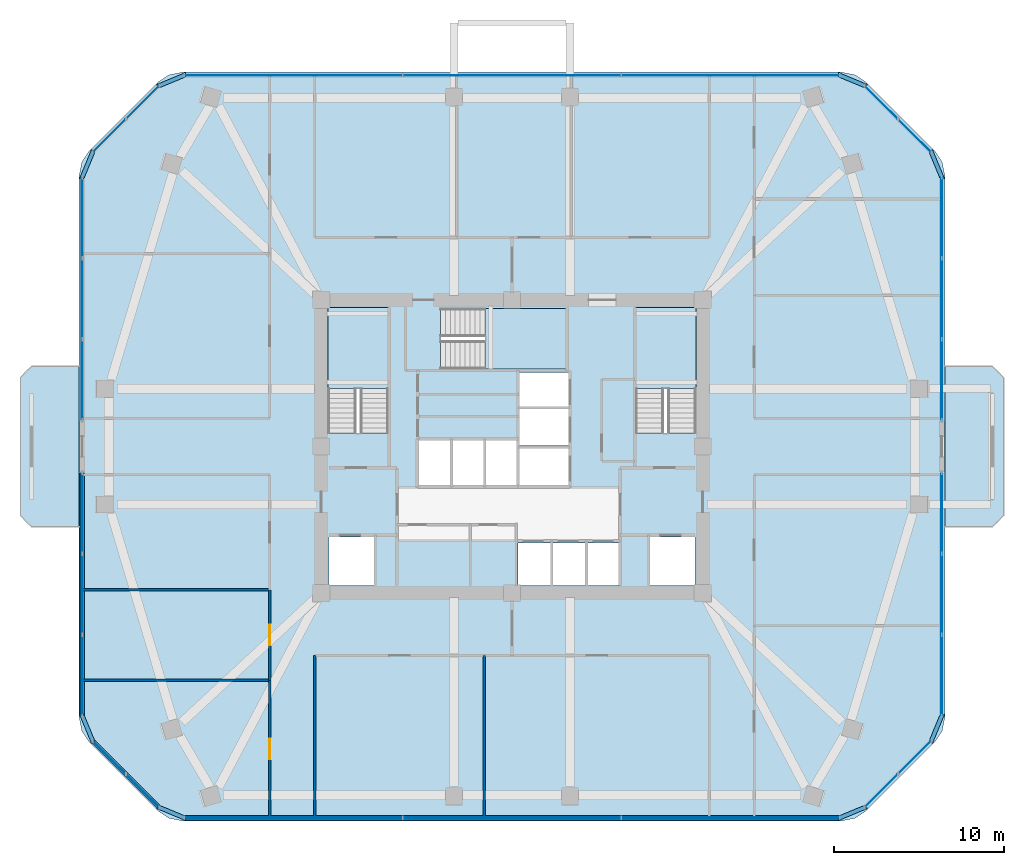
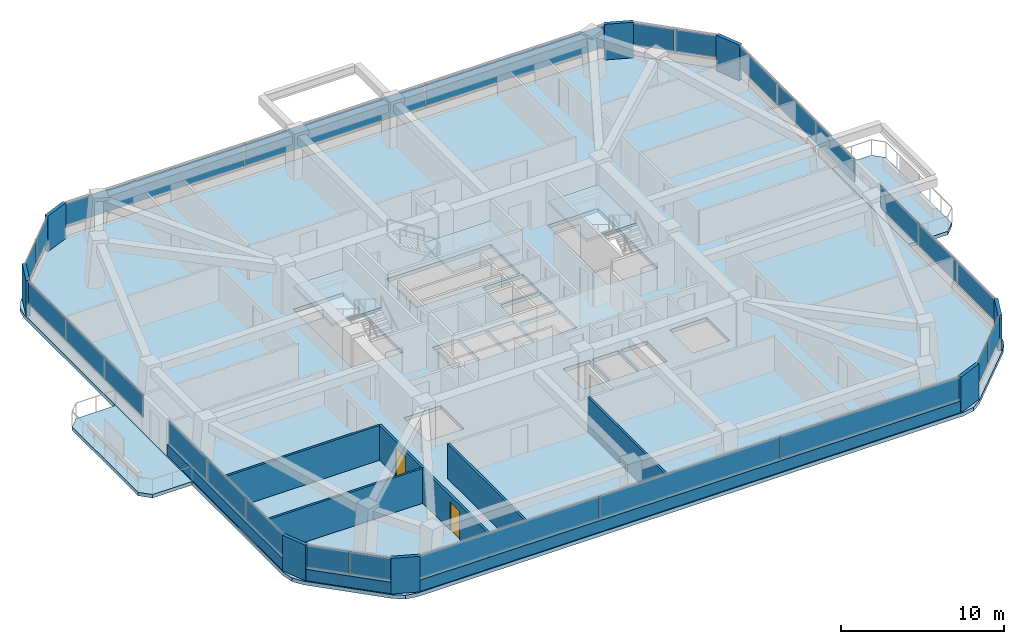
# One storey, part 9 of 14: 34 plates, 9 walls, 6 slabs, 2 doors, 2 openings, 13 elements without a shape of their own.
"""IFC4 building model written with IfcOpenShell, lengths in metres."""

import ifcopenshell
import ifcopenshell.guid

model = None  # the IFC model being written
_history = None  # IfcOwnerHistory: only IFC2X3 demands one
_inside = {}  # id of a spatial element -> (the spatial element, [elements in it])
_under = {}  # id of a project, library or spatial element -> (it, [spatial elements below it])
_declared = {}  # id of a project -> (the project, [libraries it declares])
_typed = {}  # id of a type object -> (the type object, [elements of that type])
_made_of = {}  # id of a material, layer set ... -> (it, [elements and type objects made of it])


def new_model(schema):
    """Start an empty IFC model of exactly this schema.

    Asked for "IFC4X3", IfcOpenShell would pick the latest addendum, in which some entities
    have other attributes; the version numbers below select the first issue.
    IFC2X3 requires an IfcOwnerHistory on every rooted entity: one is made here for all.
    """
    global model, _history
    if schema == "IFC4X3":
        model = ifcopenshell.file(schema_version=(4, 3, 0, 0))
    else:
        model = ifcopenshell.file(schema=schema)
    _inside.clear()
    _under.clear()
    _declared.clear()
    _typed.clear()
    _made_of.clear()
    _history = None
    if model.schema == "IFC2X3":
        org = make("IfcOrganization", Name="unknown")
        user = make(
            "IfcPersonAndOrganization",
            ThePerson=make("IfcPerson", FamilyName="unknown"),
            TheOrganization=org,
        )
        app = make(
            "IfcApplication",
            ApplicationDeveloper=org,
            Version="unknown",
            ApplicationFullName="unknown",
            ApplicationIdentifier="unknown",
        )
        _history = make(
            "IfcOwnerHistory",
            OwningUser=user,
            OwningApplication=app,
            ChangeAction="ADDED",
            CreationDate=0,
        )
    return model


def make(cls, **values):
    """One entity of the class cls with the attributes given. An attribute that is None is left unset."""
    return model.create_entity(
        cls, **{name: value for name, value in values.items() if value is not None}
    )


def rooted(cls, **values):
    """An entity with a GlobalId (a new one), such as an element, a storey or a relation."""
    return make(cls, GlobalId=ifcopenshell.guid.new(), OwnerHistory=_history, **values)


def si_unit(unit_type, name, prefix=None):
    """IfcSIUnit, for example si_unit("LENGTHUNIT", "METRE", prefix="MILLI")."""
    return make("IfcSIUnit", UnitType=unit_type, Prefix=prefix, Name=name)


def derived_unit(unit_type, elements):
    """IfcDerivedUnit: a product of units, each with its exponent."""
    return make(
        "IfcDerivedUnit",
        Elements=[
            make("IfcDerivedUnitElement", Unit=unit, Exponent=power)
            for unit, power in elements
        ],
        UnitType=unit_type,
    )


def assignment(units):
    """IfcUnitAssignment: the units of a project."""
    return None if units is None else make("IfcUnitAssignment", Units=units)


def point(xyz):
    """IfcCartesianPoint."""
    return None if xyz is None else make("IfcCartesianPoint", Coordinates=xyz)


def direction(xyz):
    """IfcDirection."""
    return None if xyz is None else make("IfcDirection", DirectionRatios=xyz)


def frame(location, z_axis=None, x_axis=None):
    """IfcAxis2Placement3D, a coordinate frame: its origin and axes. An axis left out is left unset."""
    return make(
        "IfcAxis2Placement3D",
        Location=point(location),
        Axis=direction(z_axis),
        RefDirection=direction(x_axis),
    )


def frame_2d(location, x_axis=None):
    """IfcAxis2Placement2D, a coordinate frame in the plane: its origin and x axis."""
    return make(
        "IfcAxis2Placement2D", Location=point(location), RefDirection=direction(x_axis)
    )


def origin():
    """The frame at (0, 0, 0) with its axes left unset."""
    return frame((0.0, 0.0, 0.0))


def origin_2d():
    """The frame at (0, 0) in the plane with its x axis left unset."""
    return frame_2d((0.0, 0.0))


def place(relative_to, where):
    """IfcLocalPlacement: puts the frame where relative to a parent placement (None: the world)."""
    return make(
        "IfcLocalPlacement", PlacementRelTo=relative_to, RelativePlacement=where
    )


def context(
    kind, dimensions, precision=None, world=None, true_north=None, identifier=None
):
    """IfcGeometricRepresentationContext, for example the 3D "Model" context."""
    return make(
        "IfcGeometricRepresentationContext",
        ContextIdentifier=identifier,
        ContextType=kind,
        CoordinateSpaceDimension=dimensions,
        Precision=precision,
        WorldCoordinateSystem=world,
        TrueNorth=true_north,
    )


def subcontext(parent, identifier, kind, view, scale=None):
    """IfcGeometricRepresentationSubContext, for example "Body" below "Model"."""
    return make(
        "IfcGeometricRepresentationSubContext",
        ContextIdentifier=identifier,
        ContextType=kind,
        ParentContext=parent,
        TargetScale=scale,
        TargetView=view,
    )


def project(units=None, contexts=None):
    """IfcProject with its units and contexts."""
    return rooted(
        "IfcProject",
        Name="project",
        RepresentationContexts=contexts,
        UnitsInContext=assignment(units),
    )


def spatial(cls, under=None, at=None, **own):
    """A site, building, storey or space (cls), placed at a placement, below another one or the project."""
    s = rooted(cls, ObjectPlacement=at, **own)
    if under is not None:
        _under.setdefault(under.id(), (under, []))[1].append(s)
    return s


def polyline(points):
    """IfcPolyline through the points."""
    return make("IfcPolyline", Points=[point(p) for p in points])


def profile(cls, at=None, kind="AREA", **sizes):
    """A parametric profile (cls). Its sizes go by their IFC names, for example OverallWidth=200.0."""
    return make(cls, ProfileType=kind, Position=at, **sizes)


def rectangle(**sizes):
    """IfcRectangleProfileDef."""
    return profile("IfcRectangleProfileDef", **sizes)


def outline(outer, holes=None, kind="AREA"):
    """IfcArbitraryClosedProfileDef: a profile drawn as a closed curve; with holes, ...WithVoids."""
    if holes is None:
        return make("IfcArbitraryClosedProfileDef", ProfileType=kind, OuterCurve=outer)
    return make(
        "IfcArbitraryProfileDefWithVoids",
        ProfileType=kind,
        OuterCurve=outer,
        InnerCurves=holes,
    )


def extrude(swept, where, along, depth):
    """IfcExtrudedAreaSolid: the profile swept, set in the frame where, extruded along a direction by depth."""
    return make(
        "IfcExtrudedAreaSolid",
        SweptArea=swept,
        Position=where,
        ExtrudedDirection=direction(along),
        Depth=depth,
    )


def shape(context_of_items, identifier, shape_type, items):
    """IfcShapeRepresentation: the items that make up one representation, for example the "Body"."""
    return make(
        "IfcShapeRepresentation",
        ContextOfItems=context_of_items,
        RepresentationIdentifier=identifier,
        RepresentationType=shape_type,
        Items=items,
    )


def material(Name=None, Category=None):
    """IfcMaterial."""
    return make("IfcMaterial", Name=Name, Category=Category)


def layer(
    of_material, thickness, ventilated=None, Name=None, Category=None, Priority=None
):
    """IfcMaterialLayer: one layer of a wall or slab, of a material (None: an air gap)."""
    return make(
        "IfcMaterialLayer",
        Material=of_material,
        LayerThickness=thickness,
        IsVentilated=ventilated,
        Name=Name,
        Category=Category,
        Priority=Priority,
    )


def layer_set(layers, Name=None):
    """IfcMaterialLayerSet."""
    return make("IfcMaterialLayerSet", MaterialLayers=layers, LayerSetName=Name)


def made_of(thing, what):
    """Note that an element or type object is made of a material, layer set ...; save() writes the relation."""
    if what is not None:
        _made_of.setdefault(what.id(), (what, []))[1].append(thing)
    return thing


def type_object(cls, material=None, **own):
    """A type object (cls), such as IfcWallType, which elements share."""
    return made_of(rooted(cls, **own), material)


def element(
    cls,
    number,
    at=None,
    inside=None,
    cuts=None,
    type_object=None,
    material=None,
    context=None,
    identifier="Body",
    shape_type=None,
    held_by="IfcProductDefinitionShape",
    body=None,
    shapes=None,
    **own,
):
    """One element of the class cls, such as IfcWall. Its Tag is "e" and its number.

    at: its placement. inside: the storey or other place that contains it. cuts: it is an
    opening in that element (IfcRelVoidsElement). A single representation is given by context,
    identifier, shape_type and body (its items); several are given by shapes. held_by: the class
    of the entity that holds the representations. save() writes the other relations.
    """
    e = rooted(cls, Tag="e%d" % number, ObjectPlacement=at, **own)
    if body is not None:
        shapes = [shape(context, identifier, shape_type, body)]
    if shapes is not None:
        e.Representation = make(held_by, Representations=shapes)
    if inside is not None:
        _inside.setdefault(inside.id(), (inside, []))[1].append(e)
    if cuts is not None:
        rooted(
            "IfcRelVoidsElement", RelatingBuildingElement=cuts, RelatedOpeningElement=e
        )
    if type_object is not None:
        _typed.setdefault(type_object.id(), (type_object, []))[1].append(e)
    return made_of(e, material)


def fill(opening, filler):
    """IfcRelFillsElement: the door or window that sits in an opening."""
    return rooted(
        "IfcRelFillsElement",
        RelatingOpeningElement=opening,
        RelatedBuildingElement=filler,
    )


def aggregate(whole, parts):
    """IfcRelAggregates: a whole, such as a stair, and the parts it consists of."""
    return rooted("IfcRelAggregates", RelatingObject=whole, RelatedObjects=parts)


def save(model, path):
    """Write the relations noted so far, then the file.

    IfcRelAggregates (storeys below a building ...), IfcRelContainedInSpatialStructure (elements
    in a storey), IfcRelDefinesByType, IfcRelAssociatesMaterial and IfcRelDeclares: one each for
    every whole, place, type object, material and project.
    """
    for whole, parts in _under.values():
        aggregate(whole, parts)
    for where, things in _inside.values():
        rooted(
            "IfcRelContainedInSpatialStructure",
            RelatedElements=things,
            RelatingStructure=where,
        )
    for kind, things in _typed.values():
        rooted("IfcRelDefinesByType", RelatedObjects=things, RelatingType=kind)
    for what, things in _made_of.values():
        rooted("IfcRelAssociatesMaterial", RelatedObjects=things, RelatingMaterial=what)
    for by, libraries in _declared.values():
        rooted("IfcRelDeclares", RelatingContext=by, RelatedDefinitions=libraries)
    model.write(path)


model = new_model("IFC4")

# Units and contexts
model_context = context("Model", 3, precision=1e-05, world=origin(), true_north=direction((0.0, 1.0)))
body_context = subcontext(model_context, "Body", "Model", "MODEL_VIEW")
ifc_project = project(units=[si_unit("LENGTHUNIT", "METRE"), si_unit("AREAUNIT", "SQUARE_METRE"), si_unit("VOLUMEUNIT", "CUBIC_METRE"), si_unit("PLANEANGLEUNIT", "RADIAN"), si_unit("MASSUNIT", "GRAM", prefix="KILO"), derived_unit("THERMALTRANSMITTANCEUNIT", [(si_unit("POWERUNIT", "WATT"), 1), (si_unit("LENGTHUNIT", "METRE"), -2), (si_unit("THERMODYNAMICTEMPERATUREUNIT", "KELVIN"), -1)])], contexts=[model_context])

# Site, building, storey
site_placement = place(None, origin())
site = spatial("IfcSite", under=ifc_project, at=site_placement, CompositionType="ELEMENT")
building_placement = place(site_placement, origin())
building = spatial("IfcBuilding", under=site, at=building_placement, Name="Koralith Skygarden Medical Center", CompositionType="ELEMENT")
storey_placement = place(building_placement, frame((0.0, 0.0, 106.3798828125)))
storey = spatial("IfcBuildingStorey", under=building, at=storey_placement, Name="L27", CompositionType="ELEMENT", Elevation=106.3798828125)

# Curtain wall, plates
ifc_material_1 = material(Name="Clear Laminated Glass", Category="glass")
curtain_wall_type = type_object("IfcCurtainWallType", Name="CW-3 Zone 2 Faceted Solar Curtain Wall", PredefinedType="NOTDEFINED", material=ifc_material_1)
curtain_wall_1_placement = place(storey_placement, origin())
curtain_wall_1 = element("IfcCurtainWall", 1, at=curtain_wall_1_placement, inside=storey, type_object=curtain_wall_type, Name="Curtain Wall CW-L27-S", PredefinedType="NOTDEFINED")
ifc_layer_1 = layer(ifc_material_1, 0.033935546875)
ifc_layer_set_1 = layer_set([ifc_layer_1], Name="Clear Laminated Glass")
plate_type_1 = type_object("IfcPlateType", Name="CW-3 Hurricane Laminated IGU Panel 34", PredefinedType="CURTAIN_PANEL", material=ifc_layer_set_1)
plate_1_placement = place(storey_placement, frame((24.177978515625, 4.1220703125, 0.919921875), z_axis=(0.0, 0.0, 1.0), x_axis=(1.0, 0.0, 0.0)))
plate_1 = element("IfcPlate", 2, at=plate_1_placement, type_object=plate_type_1, Name="CW-L27-S Glazed Panel 1", PredefinedType="CURTAIN_PANEL", context=body_context, shape_type="SweptSolid", body=[
    extrude(rectangle(XDim=12.73193359375, YDim=0.033935546875, at=origin_2d()), origin(), (0.0, 0.0, 1.0), 1.679931640625),
])
plate_2_placement = place(storey_placement, frame((37.0, 4.1220703125, 0.919921875), z_axis=(0.0, 0.0, 1.0), x_axis=(1.0, 0.0, 0.0)))
plate_2 = element("IfcPlate", 3, at=plate_2_placement, type_object=plate_type_1, Name="CW-L27-S Glazed Panel 2", PredefinedType="CURTAIN_PANEL", context=body_context, shape_type="SweptSolid", body=[
    extrude(rectangle(XDim=12.73193359375, YDim=0.033935546875, at=origin_2d()), origin(), (0.0, 0.0, 1.0), 1.679931640625),
])
plate_3_placement = place(storey_placement, frame((49.822021484375, 4.1220703125, 0.919921875), z_axis=(0.0, 0.0, 1.0), x_axis=(1.0, 0.0, 0.0)))
plate_3 = element("IfcPlate", 4, at=plate_3_placement, type_object=plate_type_1, Name="CW-L27-S Glazed Panel 3", PredefinedType="CURTAIN_PANEL", context=body_context, shape_type="SweptSolid", body=[
    extrude(rectangle(XDim=12.73193359375, YDim=0.033935546875, at=origin_2d()), origin(), (0.0, 0.0, 1.0), 1.679931640625),
])
aggregate(curtain_wall_1, [plate_1, plate_2, plate_3])

curtain_wall_2_placement = place(storey_placement, origin())
curtain_wall_2 = element("IfcCurtainWall", 5, at=curtain_wall_2_placement, inside=storey, type_object=curtain_wall_type, Name="Curtain Wall CW-L27-SE", PredefinedType="NOTDEFINED")
plate_4_placement = place(storey_placement, frame((58.6650390625, 5.705078125, 0.919921875), z_axis=(0.0, 0.0, 1.0), x_axis=(0.707106781187, 0.707106781187, 0.0)))
plate_4 = element("IfcPlate", 6, at=plate_4_placement, type_object=plate_type_1, Name="CW-L27-SE Glazed Panel 1", PredefinedType="CURTAIN_PANEL", context=body_context, shape_type="SweptSolid", body=[
    extrude(rectangle(XDim=2.68408203125, YDim=0.033935546875, at=origin_2d()), origin(), (0.0, 0.0, 1.0), 1.679931640625),
])
plate_5_placement = place(storey_placement, frame((60.6259765625, 7.666015625, 0.919921875), z_axis=(0.0, 0.0, 1.0), x_axis=(0.707106781187, 0.707106781187, 0.0)))
plate_5 = element("IfcPlate", 7, at=plate_5_placement, type_object=plate_type_1, Name="CW-L27-SE Glazed Panel 2", PredefinedType="CURTAIN_PANEL", context=body_context, shape_type="SweptSolid", body=[
    extrude(rectangle(XDim=2.68408203125, YDim=0.033935546875, at=origin_2d()), origin(), (0.0, 0.0, 1.0), 1.679931640625),
])
aggregate(curtain_wall_2, [plate_4, plate_5])

curtain_wall_3_placement = place(storey_placement, origin())
curtain_wall_3 = element("IfcCurtainWall", 8, at=curtain_wall_3_placement, inside=storey, type_object=curtain_wall_type, Name="Curtain Wall CW-L27-E-L", PredefinedType="NOTDEFINED")
plate_6_placement = place(storey_placement, frame((62.208984375, 12.47509765625, 0.919921875), z_axis=(0.0, 0.0, 1.0), x_axis=(0.0, 1.0, 0.0)))
plate_6 = element("IfcPlate", 9, at=plate_6_placement, type_object=plate_type_1, Name="CW-L27-E-L Glazed Panel 1", PredefinedType="CURTAIN_PANEL", context=body_context, shape_type="SweptSolid", body=[
    extrude(rectangle(XDim=4.6640625, YDim=0.033935546875, at=origin_2d()), origin(), (0.0, 0.0, 1.0), 1.679931640625),
])
plate_7_placement = place(storey_placement, frame((62.208984375, 17.22900390625, 0.919921875), z_axis=(0.0, 0.0, 1.0), x_axis=(0.0, 1.0, 0.0)))
plate_7 = element("IfcPlate", 10, at=plate_7_placement, type_object=plate_type_1, Name="CW-L27-E-L Glazed Panel 2", PredefinedType="CURTAIN_PANEL", context=body_context, shape_type="SweptSolid", body=[
    extrude(rectangle(XDim=4.6640625, YDim=0.033935546875, at=origin_2d()), origin(), (0.0, 0.0, 1.0), 1.679931640625),
])
plate_8_placement = place(storey_placement, frame((62.208984375, 21.98291015625, 0.919921875), z_axis=(0.0, 0.0, 1.0), x_axis=(0.0, 1.0, 0.0)))
plate_8 = element("IfcPlate", 11, at=plate_8_placement, type_object=plate_type_1, Name="CW-L27-E-L Glazed Panel 3", PredefinedType="CURTAIN_PANEL", context=body_context, shape_type="SweptSolid", body=[
    extrude(rectangle(XDim=4.6640625, YDim=0.033935546875, at=origin_2d()), origin(), (0.0, 0.0, 1.0), 1.679931640625),
])
aggregate(curtain_wall_3, [plate_6, plate_7, plate_8])

curtain_wall_4_placement = place(storey_placement, origin())
curtain_wall_4 = element("IfcCurtainWall", 12, at=curtain_wall_4_placement, inside=storey, type_object=curtain_wall_type, Name="Curtain Wall CW-L27-E-R", PredefinedType="NOTDEFINED")
plate_9_placement = place(storey_placement, frame((62.208984375, 29.81689453125, 0.919921875), z_axis=(0.0, 0.0, 1.0), x_axis=(0.0, 1.0, 0.0)))
plate_9 = element("IfcPlate", 13, at=plate_9_placement, type_object=plate_type_1, Name="CW-L27-E-R Glazed Panel 1", PredefinedType="CURTAIN_PANEL", context=body_context, shape_type="SweptSolid", body=[
    extrude(rectangle(XDim=4.6640625, YDim=0.033935546875, at=origin_2d()), origin(), (0.0, 0.0, 1.0), 1.679931640625),
])
plate_10_placement = place(storey_placement, frame((62.208984375, 34.571044921875, 0.919921875), z_axis=(0.0, 0.0, 1.0), x_axis=(0.0, 1.0, 0.0)))
plate_10 = element("IfcPlate", 14, at=plate_10_placement, type_object=plate_type_1, Name="CW-L27-E-R Glazed Panel 2", PredefinedType="CURTAIN_PANEL", context=body_context, shape_type="SweptSolid", body=[
    extrude(rectangle(XDim=4.6640625, YDim=0.033935546875, at=origin_2d()), origin(), (0.0, 0.0, 1.0), 1.679931640625),
])
plate_11_placement = place(storey_placement, frame((62.208984375, 39.324951171875, 0.919921875), z_axis=(0.0, 0.0, 1.0), x_axis=(0.0, 1.0, 0.0)))
plate_11 = element("IfcPlate", 15, at=plate_11_placement, type_object=plate_type_1, Name="CW-L27-E-R Glazed Panel 3", PredefinedType="CURTAIN_PANEL", context=body_context, shape_type="SweptSolid", body=[
    extrude(rectangle(XDim=4.6640625, YDim=0.033935546875, at=origin_2d()), origin(), (0.0, 0.0, 1.0), 1.679931640625),
])
aggregate(curtain_wall_4, [plate_9, plate_10, plate_11])

curtain_wall_5_placement = place(storey_placement, origin())
curtain_wall_5 = element("IfcCurtainWall", 16, at=curtain_wall_5_placement, inside=storey, type_object=curtain_wall_type, Name="Curtain Wall CW-L27-NE", PredefinedType="NOTDEFINED")
plate_12_placement = place(storey_placement, frame((60.6259765625, 44.134033203125, 0.919921875), z_axis=(0.0, 0.0, 1.0), x_axis=(-0.707106781187, 0.707106781187, 0.0)))
plate_12 = element("IfcPlate", 17, at=plate_12_placement, type_object=plate_type_1, Name="CW-L27-NE Glazed Panel 1", PredefinedType="CURTAIN_PANEL", context=body_context, shape_type="SweptSolid", body=[
    extrude(rectangle(XDim=2.68408203125, YDim=0.033935546875, at=origin_2d()), origin(), (0.0, 0.0, 1.0), 1.679931640625),
])
plate_13_placement = place(storey_placement, frame((58.6650390625, 46.094970703125, 0.919921875), z_axis=(0.0, 0.0, 1.0), x_axis=(-0.707106781187, 0.707106781187, 0.0)))
plate_13 = element("IfcPlate", 18, at=plate_13_placement, type_object=plate_type_1, Name="CW-L27-NE Glazed Panel 2", PredefinedType="CURTAIN_PANEL", context=body_context, shape_type="SweptSolid", body=[
    extrude(rectangle(XDim=2.68408203125, YDim=0.033935546875, at=origin_2d()), origin(), (0.0, 0.0, 1.0), 1.679931640625),
])
aggregate(curtain_wall_5, [plate_12, plate_13])

curtain_wall_6_placement = place(storey_placement, origin())
curtain_wall_6 = element("IfcCurtainWall", 19, at=curtain_wall_6_placement, inside=storey, type_object=curtain_wall_type, Name="Curtain Wall CW-L27-N", PredefinedType="NOTDEFINED")
plate_14_placement = place(storey_placement, frame((49.822021484375, 47.677001953125, 0.919921875), z_axis=(0.0, 0.0, 1.0), x_axis=(-1.0, 0.0, 0.0)))
plate_14 = element("IfcPlate", 20, at=plate_14_placement, type_object=plate_type_1, Name="CW-L27-N Glazed Panel 1", PredefinedType="CURTAIN_PANEL", context=body_context, shape_type="SweptSolid", body=[
    extrude(rectangle(XDim=12.73193359375, YDim=0.033935546875, at=origin_2d()), origin(), (0.0, 0.0, 1.0), 1.679931640625),
])
plate_15_placement = place(storey_placement, frame((37.0, 47.677001953125, 0.919921875), z_axis=(0.0, 0.0, 1.0), x_axis=(-1.0, 0.0, 0.0)))
plate_15 = element("IfcPlate", 21, at=plate_15_placement, type_object=plate_type_1, Name="CW-L27-N Glazed Panel 2", PredefinedType="CURTAIN_PANEL", context=body_context, shape_type="SweptSolid", body=[
    extrude(rectangle(XDim=12.73193359375, YDim=0.033935546875, at=origin_2d()), origin(), (0.0, 0.0, 1.0), 1.679931640625),
])
plate_16_placement = place(storey_placement, frame((24.177978515625, 47.677001953125, 0.919921875), z_axis=(0.0, 0.0, 1.0), x_axis=(-1.0, 0.0, 0.0)))
plate_16 = element("IfcPlate", 22, at=plate_16_placement, type_object=plate_type_1, Name="CW-L27-N Glazed Panel 3", PredefinedType="CURTAIN_PANEL", context=body_context, shape_type="SweptSolid", body=[
    extrude(rectangle(XDim=12.73193359375, YDim=0.033935546875, at=origin_2d()), origin(), (0.0, 0.0, 1.0), 1.679931640625),
])
aggregate(curtain_wall_6, [plate_14, plate_15, plate_16])

curtain_wall_7_placement = place(storey_placement, origin())
curtain_wall_7 = element("IfcCurtainWall", 23, at=curtain_wall_7_placement, inside=storey, type_object=curtain_wall_type, Name="Curtain Wall CW-L27-NW", PredefinedType="NOTDEFINED")
plate_17_placement = place(storey_placement, frame((15.3349609375, 46.094970703125, 0.919921875), z_axis=(0.0, 0.0, 1.0), x_axis=(-0.707106781187, -0.707106781187, 0.0)))
plate_17 = element("IfcPlate", 24, at=plate_17_placement, type_object=plate_type_1, Name="CW-L27-NW Glazed Panel 1", PredefinedType="CURTAIN_PANEL", context=body_context, shape_type="SweptSolid", body=[
    extrude(rectangle(XDim=2.68408203125, YDim=0.033935546875, at=origin_2d()), origin(), (0.0, 0.0, 1.0), 1.679931640625),
])
plate_18_placement = place(storey_placement, frame((13.3740234375, 44.134033203125, 0.919921875), z_axis=(0.0, 0.0, 1.0), x_axis=(-0.707106781187, -0.707106781187, 0.0)))
plate_18 = element("IfcPlate", 25, at=plate_18_placement, type_object=plate_type_1, Name="CW-L27-NW Glazed Panel 2", PredefinedType="CURTAIN_PANEL", context=body_context, shape_type="SweptSolid", body=[
    extrude(rectangle(XDim=2.68408203125, YDim=0.033935546875, at=origin_2d()), origin(), (0.0, 0.0, 1.0), 1.679931640625),
])
aggregate(curtain_wall_7, [plate_17, plate_18])

curtain_wall_8_placement = place(storey_placement, origin())
curtain_wall_8 = element("IfcCurtainWall", 26, at=curtain_wall_8_placement, inside=storey, type_object=curtain_wall_type, Name="Curtain Wall CW-L27-W-L", PredefinedType="NOTDEFINED")
plate_19_placement = place(storey_placement, frame((11.791015625, 39.324951171875, 0.919921875), z_axis=(0.0, 0.0, 1.0), x_axis=(0.0, -1.0, 0.0)))
plate_19 = element("IfcPlate", 27, at=plate_19_placement, type_object=plate_type_1, Name="CW-L27-W-L Glazed Panel 1", PredefinedType="CURTAIN_PANEL", context=body_context, shape_type="SweptSolid", body=[
    extrude(rectangle(XDim=4.6640625, YDim=0.033935546875, at=origin_2d()), origin(), (0.0, 0.0, 1.0), 1.679931640625),
])
plate_20_placement = place(storey_placement, frame((11.791015625, 34.571044921875, 0.919921875), z_axis=(0.0, 0.0, 1.0), x_axis=(0.0, -1.0, 0.0)))
plate_20 = element("IfcPlate", 28, at=plate_20_placement, type_object=plate_type_1, Name="CW-L27-W-L Glazed Panel 2", PredefinedType="CURTAIN_PANEL", context=body_context, shape_type="SweptSolid", body=[
    extrude(rectangle(XDim=4.6640625, YDim=0.033935546875, at=origin_2d()), origin(), (0.0, 0.0, 1.0), 1.679931640625),
])
plate_21_placement = place(storey_placement, frame((11.791015625, 29.81689453125, 0.919921875), z_axis=(0.0, 0.0, 1.0), x_axis=(0.0, -1.0, 0.0)))
plate_21 = element("IfcPlate", 29, at=plate_21_placement, type_object=plate_type_1, Name="CW-L27-W-L Glazed Panel 3", PredefinedType="CURTAIN_PANEL", context=body_context, shape_type="SweptSolid", body=[
    extrude(rectangle(XDim=4.6640625, YDim=0.033935546875, at=origin_2d()), origin(), (0.0, 0.0, 1.0), 1.679931640625),
])
aggregate(curtain_wall_8, [plate_19, plate_20, plate_21])

curtain_wall_9_placement = place(storey_placement, origin())
curtain_wall_9 = element("IfcCurtainWall", 30, at=curtain_wall_9_placement, inside=storey, type_object=curtain_wall_type, Name="Curtain Wall CW-L27-W-R", PredefinedType="NOTDEFINED")
plate_22_placement = place(storey_placement, frame((11.791015625, 21.98291015625, 0.919921875), z_axis=(0.0, 0.0, 1.0), x_axis=(0.0, -1.0, 0.0)))
plate_22 = element("IfcPlate", 31, at=plate_22_placement, type_object=plate_type_1, Name="CW-L27-W-R Glazed Panel 1", PredefinedType="CURTAIN_PANEL", context=body_context, shape_type="SweptSolid", body=[
    extrude(rectangle(XDim=4.6640625, YDim=0.033935546875, at=origin_2d()), origin(), (0.0, 0.0, 1.0), 1.679931640625),
])
plate_23_placement = place(storey_placement, frame((11.791015625, 17.22900390625, 0.919921875), z_axis=(0.0, 0.0, 1.0), x_axis=(0.0, -1.0, 0.0)))
plate_23 = element("IfcPlate", 32, at=plate_23_placement, type_object=plate_type_1, Name="CW-L27-W-R Glazed Panel 2", PredefinedType="CURTAIN_PANEL", context=body_context, shape_type="SweptSolid", body=[
    extrude(rectangle(XDim=4.6640625, YDim=0.033935546875, at=origin_2d()), origin(), (0.0, 0.0, 1.0), 1.679931640625),
])
plate_24_placement = place(storey_placement, frame((11.791015625, 12.47509765625, 0.919921875), z_axis=(0.0, 0.0, 1.0), x_axis=(0.0, -1.0, 0.0)))
plate_24 = element("IfcPlate", 33, at=plate_24_placement, type_object=plate_type_1, Name="CW-L27-W-R Glazed Panel 3", PredefinedType="CURTAIN_PANEL", context=body_context, shape_type="SweptSolid", body=[
    extrude(rectangle(XDim=4.6640625, YDim=0.033935546875, at=origin_2d()), origin(), (0.0, 0.0, 1.0), 1.679931640625),
])
aggregate(curtain_wall_9, [plate_22, plate_23, plate_24])

curtain_wall_10_placement = place(storey_placement, origin())
curtain_wall_10 = element("IfcCurtainWall", 34, at=curtain_wall_10_placement, inside=storey, type_object=curtain_wall_type, Name="Curtain Wall CW-L27-SW", PredefinedType="NOTDEFINED")
plate_25_placement = place(storey_placement, frame((13.3740234375, 7.666015625, 0.919921875), z_axis=(0.0, 0.0, 1.0), x_axis=(0.707106781187, -0.707106781187, 0.0)))
plate_25 = element("IfcPlate", 35, at=plate_25_placement, type_object=plate_type_1, Name="CW-L27-SW Glazed Panel 1", PredefinedType="CURTAIN_PANEL", context=body_context, shape_type="SweptSolid", body=[
    extrude(rectangle(XDim=2.68408203125, YDim=0.033935546875, at=origin_2d()), origin(), (0.0, 0.0, 1.0), 1.679931640625),
])
plate_26_placement = place(storey_placement, frame((15.3349609375, 5.705078125, 0.919921875), z_axis=(0.0, 0.0, 1.0), x_axis=(0.707106781187, -0.707106781187, 0.0)))
plate_26 = element("IfcPlate", 36, at=plate_26_placement, type_object=plate_type_1, Name="CW-L27-SW Glazed Panel 2", PredefinedType="CURTAIN_PANEL", context=body_context, shape_type="SweptSolid", body=[
    extrude(rectangle(XDim=2.68408203125, YDim=0.033935546875, at=origin_2d()), origin(), (0.0, 0.0, 1.0), 1.679931640625),
])
aggregate(curtain_wall_10, [plate_25, plate_26])

# Slabs
ifc_material_2 = material(Name="Concrete C45/55", Category="concrete")
ifc_layer_2 = layer(ifc_material_2, 0.260009765625)
ifc_layer_set_2 = layer_set([ifc_layer_2], Name="Concrete C45/55")
slab_type_1 = type_object("IfcSlabType", Name="Cantilevered Planted Balcony Slab 260", PredefinedType="FLOOR", material=ifc_layer_set_2)
slab_1_placement = place(storey_placement, frame((0.0, 0.0, -0.259765625)))
element("IfcSlab", 37, at=slab_1_placement, inside=storey, type_object=slab_type_1, Name="L27 E Planted Sky-Garden Balcony Slab", PredefinedType="FLOOR", context=body_context, shape_type="SweptSolid", body=[
    extrude(outline(polyline([(62.388916015625, 21.199951171875), (65.18798828125, 21.199951171875), (65.837890625, 21.85009765625), (65.837890625, 29.949951171875), (65.18798828125, 30.60009765625), (62.388916015625, 30.60009765625), (62.388916015625, 21.199951171875)])), origin(), (0.0, 0.0, 1.0), 0.259765625),
])
slab_2_placement = place(storey_placement, frame((0.0, 0.0, -0.259765625)))
element("IfcSlab", 38, at=slab_2_placement, inside=storey, type_object=slab_type_1, Name="L27 W Planted Sky-Garden Balcony Slab", PredefinedType="FLOOR", context=body_context, shape_type="SweptSolid", body=[
    extrude(outline(polyline([(8.81201171875, 21.199951171875), (11.611083984375, 21.199951171875), (11.611083984375, 30.60009765625), (8.81201171875, 30.60009765625), (8.162109375, 29.949951171875), (8.162109375, 21.85009765625), (8.81201171875, 21.199951171875)])), origin(), (0.0, 0.0, 1.0), 0.259765625),
])

# Stair, slab
stair_type = type_object("IfcStairType", Name="Core Exit Dogleg Concrete Stair", PredefinedType="HALF_TURN_STAIR", material=ifc_material_2)
stair_1_placement = place(storey_placement, origin())
stair_1 = element("IfcStair", 39, at=stair_1_placement, inside=storey, type_object=stair_type, Name="L27 Smokeproof Exit Stair ST1", PredefinedType="HALF_TURN_STAIR")
ifc_layer_3 = layer(ifc_material_2, 0.199951171875)
ifc_layer_set_3 = layer_set([ifc_layer_3], Name="Concrete C45/55")
slab_type_2 = type_object("IfcSlabType", Name="Core Exit Concrete Stair Landing 200", PredefinedType="LANDING", material=ifc_layer_set_3)
slab_3_placement = place(storey_placement, frame((0.0, 0.0, 1.60009765625)))
slab_3 = element("IfcSlab", 40, at=slab_3_placement, type_object=slab_type_2, Name="ST1 landing 1", PredefinedType="LANDING", context=body_context, shape_type="SweptSolid", body=[
    extrude(outline(polyline([(29.75, 29.31005859375), (29.75, 34.050048828125), (26.199951171875, 34.050048828125), (26.199951171875, 29.31005859375), (29.75, 29.31005859375)])), origin(), (0.0, 0.0, 1.0), 0.199951171875),
])
aggregate(stair_1, [slab_3])

stair_2_placement = place(storey_placement, origin())
stair_2 = element("IfcStair", 41, at=stair_2_placement, inside=storey, type_object=stair_type, Name="L27 Smokeproof Exit Stair ST2", PredefinedType="HALF_TURN_STAIR")
slab_4_placement = place(storey_placement, frame((0.0, 0.0, 1.60009765625)))
slab_4 = element("IfcSlab", 42, at=slab_4_placement, type_object=slab_type_2, Name="ST2 landing 1", PredefinedType="LANDING", context=body_context, shape_type="SweptSolid", body=[
    extrude(outline(polyline([(47.800048828125, 29.31005859375), (47.800048828125, 34.050048828125), (44.25, 34.050048828125), (44.25, 29.31005859375), (47.800048828125, 29.31005859375)])), origin(), (0.0, 0.0, 1.0), 0.199951171875),
])
aggregate(stair_2, [slab_4])

stair_3_placement = place(storey_placement, origin())
stair_3 = element("IfcStair", 43, at=stair_3_placement, inside=storey, type_object=stair_type, Name="L27 Smokeproof Exit Stair ST3", PredefinedType="HALF_TURN_STAIR")
slab_5_placement = place(storey_placement, frame((0.0, 0.0, 1.60009765625)))
slab_5 = element("IfcSlab", 44, at=slab_5_placement, type_object=slab_type_2, Name="ST3 landing 1", PredefinedType="LANDING", context=body_context, shape_type="SweptSolid", body=[
    extrude(outline(polyline([(35.409912109375, 30.449951171875), (40.199951171875, 30.449951171875), (40.199951171875, 34.0), (35.409912109375, 34.0), (35.409912109375, 30.449951171875)])), origin(), (0.0, 0.0, 1.0), 0.199951171875),
])
aggregate(stair_3, [slab_5])

# Slab
ifc_layer_4 = layer(ifc_material_2, 0.280029296875)
ifc_layer_set_4 = layer_set([ifc_layer_4], Name="Concrete C45/55")
slab_type_3 = type_object("IfcSlabType", Name="Post-Tensioned Ward Floor Plate 280", PredefinedType="FLOOR", material=ifc_layer_set_4)
slab_6_placement = place(storey_placement, frame((0.0, 0.0, -0.27978515625)))
element("IfcSlab", 45, at=slab_6_placement, inside=storey, type_object=slab_type_3, Name="Level L27 Structural Floor Slab", PredefinedType="FLOOR", context=body_context, shape_type="SweptSolid", body=[
    extrude(outline(polyline([(16.22607421875, 4.528076171875), (16.875, 4.094970703125), (17.639892578125, 3.94189453125), (56.360107421875, 3.94189453125), (57.125, 4.094970703125), (57.77392578125, 4.528076171875), (61.802978515625, 8.556884765625), (62.236083984375, 9.2060546875), (62.388916015625, 9.970947265625), (62.388916015625, 41.8291015625), (62.236083984375, 42.593994140625), (61.802978515625, 43.242919921875), (57.77392578125, 47.27197265625), (57.125, 47.705078125), (56.360107421875, 47.85791015625), (17.639892578125, 47.85791015625), (16.875, 47.705078125), (16.22607421875, 47.27197265625), (12.197021484375, 43.242919921875), (11.763916015625, 42.593994140625), (11.611083984375, 41.8291015625), (11.611083984375, 9.970947265625), (11.763916015625, 9.2060546875), (12.197021484375, 8.556884765625), (16.22607421875, 4.528076171875)]), holes=[polyline([(26.199951171875, 26.705078125), (29.75, 26.705078125), (29.75, 34.050048828125), (26.199951171875, 34.050048828125), (26.199951171875, 26.705078125)]), polyline([(44.25, 26.705078125), (47.800048828125, 26.705078125), (47.800048828125, 34.050048828125), (44.25, 34.050048828125), (44.25, 26.705078125)]), polyline([(32.804931640625, 30.449951171875), (40.199951171875, 30.449951171875), (40.199951171875, 34.0), (32.804931640625, 34.0), (32.804931640625, 30.449951171875)]), polyline([(26.25, 17.75), (28.89990234375, 17.75), (28.89990234375, 20.60009765625), (26.25, 20.60009765625), (26.25, 17.75)]), polyline([(45.10009765625, 17.75), (47.75, 17.75), (47.75, 20.60009765625), (45.10009765625, 20.60009765625), (45.10009765625, 17.75)]), polyline([(37.35009765625, 17.75), (39.25, 17.75), (39.25, 20.25), (37.35009765625, 20.25), (37.35009765625, 17.75)]), polyline([(39.39990234375, 17.75), (41.300048828125, 17.75), (41.300048828125, 20.25), (39.39990234375, 20.25), (39.39990234375, 17.75)]), polyline([(41.449951171875, 17.75), (43.300048828125, 17.75), (43.300048828125, 20.25), (41.449951171875, 20.25), (41.449951171875, 17.75)]), polyline([(31.550048828125, 23.64990234375), (33.39990234375, 23.64990234375), (33.39990234375, 26.25), (31.550048828125, 26.25), (31.550048828125, 23.64990234375)]), polyline([(33.5, 23.64990234375), (35.35009765625, 23.64990234375), (35.35009765625, 26.25), (33.5, 26.25), (33.5, 23.64990234375)]), polyline([(35.449951171875, 23.64990234375), (37.300048828125, 23.64990234375), (37.300048828125, 26.25), (35.449951171875, 26.25), (35.449951171875, 23.64990234375)]), polyline([(37.449951171875, 23.64990234375), (40.300048828125, 23.64990234375), (40.300048828125, 25.800048828125), (37.449951171875, 25.800048828125), (37.449951171875, 23.64990234375)]), polyline([(37.449951171875, 25.949951171875), (40.300048828125, 25.949951171875), (40.300048828125, 28.10009765625), (37.449951171875, 28.10009765625), (37.449951171875, 25.949951171875)]), polyline([(37.449951171875, 28.25), (40.300048828125, 28.25), (40.300048828125, 30.25), (37.449951171875, 30.25), (37.449951171875, 28.25)])]), origin(), (0.0, 0.0, 1.0), 0.27978515625),
])

# Plates
ifc_material_3 = material(Name="Warm Oolitic Limestone Cladding", Category="masonry")
ifc_layer_5 = layer(ifc_material_3, 0.239990234375)
ifc_layer_set_5 = layer_set([ifc_layer_5], Name="Warm Oolitic Limestone Cladding")
plate_type_2 = type_object("IfcPlateType", Name="Rounded-Corner Oolitic Limestone Cladding Panel 240", PredefinedType="USERDEFINED", material=ifc_layer_set_5)
for number, where, z_axis, x_axis, name in (
    (46, (56.958984375, 4.423095703125, 0.000244140625), (0.0, 0.0, 1.0), (0.923659638286, 0.383213873184, 0.0), "L27 Rounded-Corner Limestone Pier 1"),
    (47, (61.907958984375, 9.373046875, 0.000244140625), (0.0, 0.0, 1.0), (0.383213873184, 0.923659638286, 0.0), "L27 Rounded-Corner Limestone Pier 2"),
    (48, (61.907958984375, 42.427001953125, 0.000244140625), (0.0, 0.0, 1.0), (-0.383213873184, 0.923659638286, 0.0), "L27 Rounded-Corner Limestone Pier 3"),
    (49, (56.958984375, 47.376953125, 0.000244140625), (0.0, 0.0, 1.0), (-0.92388487569, 0.382670532536, 0.0), "L27 Rounded-Corner Limestone Pier 4"),
    (50, (17.041015625, 47.376953125, 0.000244140625), (0.0, 0.0, 1.0), (-0.92388487569, -0.382670532536, 0.0), "L27 Rounded-Corner Limestone Pier 5"),
    (51, (12.092041015625, 42.427001953125, 0.000244140625), (0.0, 0.0, 1.0), (-0.383213873184, -0.923659638286, 0.0), "L27 Rounded-Corner Limestone Pier 6"),
    (52, (12.092041015625, 9.373046875, 0.000244140625), (0.0, 0.0, 1.0), (0.383213873184, -0.923659638286, 0.0), "L27 Rounded-Corner Limestone Pier 7"),
    (53, (17.041015625, 4.423095703125, 0.000244140625), (0.0, 0.0, 1.0), (0.923659638286, -0.383213873184, 0.0), "L27 Rounded-Corner Limestone Pier 8"),
):
    element("IfcPlate", number, at=place(storey_placement, frame(where, z_axis=z_axis, x_axis=x_axis)), inside=storey, type_object=plate_type_2, Name=name, ObjectType="LIMESTONE CLADDING", PredefinedType="USERDEFINED", context=body_context, shape_type="SweptSolid", body=[
        extrude(rectangle(XDim=1.81103515625, YDim=0.239990234375, at=origin_2d()), origin(), (0.0, 0.0, 1.0), 2.669921875),
    ])

# Walls
ifc_material_4 = material(Name="Gypsum Board Partition")
ifc_layer_6 = layer(ifc_material_4, 0.14990234375)
ifc_layer_set_6 = layer_set([ifc_layer_6], Name="Gypsum Board Partition")
wall_type_1 = type_object("IfcWallType", Name="Clinical Acoustic Partition 150", PredefinedType="PARTITIONING", material=ifc_layer_set_6)
wall_1_placement = place(storey_placement, frame((35.382080078125, 13.639892578125, 0.0), z_axis=(0.0, 0.0, 1.0), x_axis=(0.0, -1.0, 0.0)))
element("IfcWall", 54, at=wall_1_placement, inside=storey, type_object=wall_type_1, Name="L27 Clinical Acoustic Partition 150 W-PART-L27-S-01", PredefinedType="PARTITIONING", context=body_context, shape_type="SweptSolid", body=[
    extrude(rectangle(XDim=9.497802734375, YDim=0.14990234375, at=frame_2d((4.7490234375, 0.0))), origin(), (0.0, 0.0, 1.0), 2.610107421875),
])
for number, where, z_axis, x_axis, name in (
    (55, (22.7900390625, 12.180908203125, 0.0), (0.0, 0.0, 1.0), (-1.0, 0.0, 0.0), "L27 Clinical Acoustic Partition 150 W-PART-L27-WS-01"),
    (56, (22.7900390625, 17.487060546875, 0.0), (0.0, 0.0, 1.0), (-1.0, 0.0, 0.0), "L27 Clinical Acoustic Partition 150 W-PART-L27-WS-02"),
):
    element("IfcWall", number, at=place(storey_placement, frame(where, z_axis=z_axis, x_axis=x_axis)), inside=storey, type_object=wall_type_1, Name=name, PredefinedType="PARTITIONING", context=body_context, shape_type="SweptSolid", body=[
        extrude(rectangle(XDim=10.97900390625, YDim=0.14990234375, at=frame_2d((5.489501953125, 0.0))), origin(), (0.0, 0.0, 1.0), 2.610107421875),
    ])
ifc_layer_7 = layer(ifc_material_4, 0.1650390625)
ifc_layer_set_7 = layer_set([ifc_layer_7], Name="Gypsum Board Partition")
wall_type_2 = type_object("IfcWallType", Name="Clinical Corridor Partition 165", PredefinedType="PARTITIONING", material=ifc_layer_set_7)
wall_2_placement = place(storey_placement, frame((25.429931640625, 4.14208984375, 0.0), z_axis=(0.0, 0.0, 1.0), x_axis=(0.0, 1.0, 0.0)))
element("IfcWall", 57, at=wall_2_placement, inside=storey, type_object=wall_type_2, Name="L27 Clinical Corridor Partition 165 W-HCOR-L27-SW", PredefinedType="PARTITIONING", context=body_context, shape_type="SweptSolid", body=[
    extrude(rectangle(XDim=9.497802734375, YDim=0.1650390625, at=frame_2d((4.7490234375, 0.0))), origin(), (0.0, 0.0, 1.0), 2.610107421875),
])

# Wall, opening, door
wall_3_placement = place(storey_placement, frame((22.7900390625, 4.14208984375, 0.0), z_axis=(0.0, 0.0, 1.0), x_axis=(0.0, 1.0, 0.0)))
wall_3 = element("IfcWall", 58, at=wall_3_placement, inside=storey, type_object=wall_type_2, Name="L27 Clinical Corridor Partition 165 W-CORR-L27-WS-01", PredefinedType="PARTITIONING", context=body_context, shape_type="SweptSolid", body=[
    extrude(rectangle(XDim=8.038818359375, YDim=0.1650390625, at=frame_2d((4.01953125, 0.0))), origin(), (0.0, 0.0, 1.0), 2.610107421875),
])
opening_1_placement = place(wall_3_placement, frame((3.4189453125, 0.0, 0.0)))
opening_1 = element("IfcOpeningElement", 59, at=opening_1_placement, cuts=wall_3, Name="Opening D-CLN", PredefinedType="OPENING", context=body_context, shape_type="SweptSolid", body=[
    extrude(rectangle(XDim=1.199951171875, YDim=2.14990234375, at=frame_2d((0.60009765625, 1.074951171875))), frame((0.0, 0.092529296875, 0.0), z_axis=(0.0, -1.0, 0.0), x_axis=(1.0, 0.0, 0.0)), (0.0, 0.0, 1.0), 0.18505859375),
])
ifc_material_5 = material(Name="Aluminium 6063-T6", Category="aluminium")
door_type = type_object("IfcDoorType", Name="Clinical Corridor Door D-CLN 1200", OperationType="NOTDEFINED", PredefinedType="DOOR", material=ifc_material_5)
door_1_placement = place(opening_1_placement, frame((1.199951171875, 0.0, 0.0), z_axis=(0.0, 0.0, 1.0), x_axis=(-1.0, 0.0, 0.0)))
door_1 = element("IfcDoor", 60, at=door_1_placement, inside=storey, type_object=door_type, Name="L27 Oncology Examination Room 06 Door", OperationType="SINGLE_SWING_LEFT", OverallHeight=2.14990234375, OverallWidth=1.199951171875, PredefinedType="DOOR", context=body_context, shape_type="SweptSolid", body=[
    extrude(rectangle(XDim=1.199951171875, YDim=2.14990234375, at=frame_2d((0.60009765625, 1.074951171875))), frame((0.0, 0.02490234375, 0.0), z_axis=(0.0, -1.0, 0.0), x_axis=(1.0, 0.0, 0.0)), (0.0, 0.0, 1.0), 0.050048828125),
])
fill(opening_1, door_1)

wall_4_placement = place(storey_placement, frame((22.7900390625, 12.180908203125, 0.0), z_axis=(0.0, 0.0, 1.0), x_axis=(0.0, 1.0, 0.0)))
wall_4 = element("IfcWall", 61, at=wall_4_placement, inside=storey, type_object=wall_type_2, Name="L27 Clinical Corridor Partition 165 W-CORR-L27-WS-02", PredefinedType="PARTITIONING", context=body_context, shape_type="SweptSolid", body=[
    extrude(rectangle(XDim=5.30615234375, YDim=0.1650390625, at=frame_2d((2.653076171875, 0.0))), origin(), (0.0, 0.0, 1.0), 2.610107421875),
])
opening_2_placement = place(wall_4_placement, frame((2.052978515625, 0.0, 0.0)))
opening_2 = element("IfcOpeningElement", 62, at=opening_2_placement, cuts=wall_4, Name="Opening D-CLN", PredefinedType="OPENING", context=body_context, shape_type="SweptSolid", body=[
    extrude(rectangle(XDim=1.199951171875, YDim=2.14990234375, at=frame_2d((0.60009765625, 1.074951171875))), frame((0.0, 0.092529296875, 0.0), z_axis=(0.0, -1.0, 0.0), x_axis=(1.0, 0.0, 0.0)), (0.0, 0.0, 1.0), 0.18505859375),
])
door_2_placement = place(opening_2_placement, frame((1.199951171875, 0.0, 0.0), z_axis=(0.0, 0.0, 1.0), x_axis=(-1.0, 0.0, 0.0)))
door_2 = element("IfcDoor", 63, at=door_2_placement, inside=storey, type_object=door_type, Name="L27 Staff Nutrition Pantry 07 Door", OperationType="SINGLE_SWING_RIGHT", OverallHeight=2.14990234375, OverallWidth=1.199951171875, PredefinedType="DOOR", context=body_context, shape_type="SweptSolid", body=[
    extrude(rectangle(XDim=1.199951171875, YDim=2.14990234375, at=frame_2d((0.60009765625, 1.074951171875))), frame((0.0, 0.02490234375, 0.0), z_axis=(0.0, -1.0, 0.0), x_axis=(1.0, 0.0, 0.0)), (0.0, 0.0, 1.0), 0.050048828125),
])
fill(opening_2, door_2)

# Walls
ifc_layer_8 = layer(ifc_material_3, 0.239990234375)
ifc_layer_set_8 = layer_set([ifc_layer_8], Name="Warm Oolitic Limestone Cladding")
wall_type_3 = type_object("IfcWallType", Name="Limestone Spandrel Sill Backup Wall 240", PredefinedType="SOLIDWALL", material=ifc_layer_set_8)
wall_5_placement = place(storey_placement, frame((17.76708984375, 4.1220703125, 0.0), z_axis=(0.0, 0.0, 1.0), x_axis=(1.0, 0.0, 0.0)))
element("IfcWall", 64, at=wall_5_placement, inside=storey, type_object=wall_type_3, Name="L27 Sill Spandrel S", PredefinedType="SOLIDWALL", context=body_context, shape_type="SweptSolid", body=[
    extrude(rectangle(XDim=38.4658203125, YDim=0.239990234375, at=frame_2d((19.23291015625, 0.0))), origin(), (0.0, 0.0, 1.0), 0.85009765625),
])
wall_6_placement = place(storey_placement, frame((11.791015625, 24.360107421875, 0.0), z_axis=(0.0, 0.0, 1.0), x_axis=(0.0, -1.0, 0.0)))
element("IfcWall", 65, at=wall_6_placement, inside=storey, type_object=wall_type_3, Name="L27 Sill Spandrel W-R", PredefinedType="SOLIDWALL", context=body_context, shape_type="SweptSolid", body=[
    extrude(rectangle(XDim=14.26220703125, YDim=0.239990234375, at=frame_2d((7.131103515625, 0.0))), origin(), (0.0, 0.0, 1.0), 0.85009765625),
])
wall_7_placement = place(storey_placement, frame((12.39306640625, 8.64697265625, 0.0), z_axis=(0.0, 0.0, 1.0), x_axis=(0.707106781187, -0.707106781187, 0.0)))
element("IfcWall", 66, at=wall_7_placement, inside=storey, type_object=wall_type_3, Name="L27 Sill Spandrel SW", PredefinedType="SOLIDWALL", context=body_context, shape_type="SweptSolid", body=[
    extrude(rectangle(XDim=5.5478515625, YDim=0.239990234375, at=frame_2d((2.77392578125, 0.0))), origin(), (0.0, 0.0, 1.0), 0.85009765625),
])

save(model, "model.ifc")
